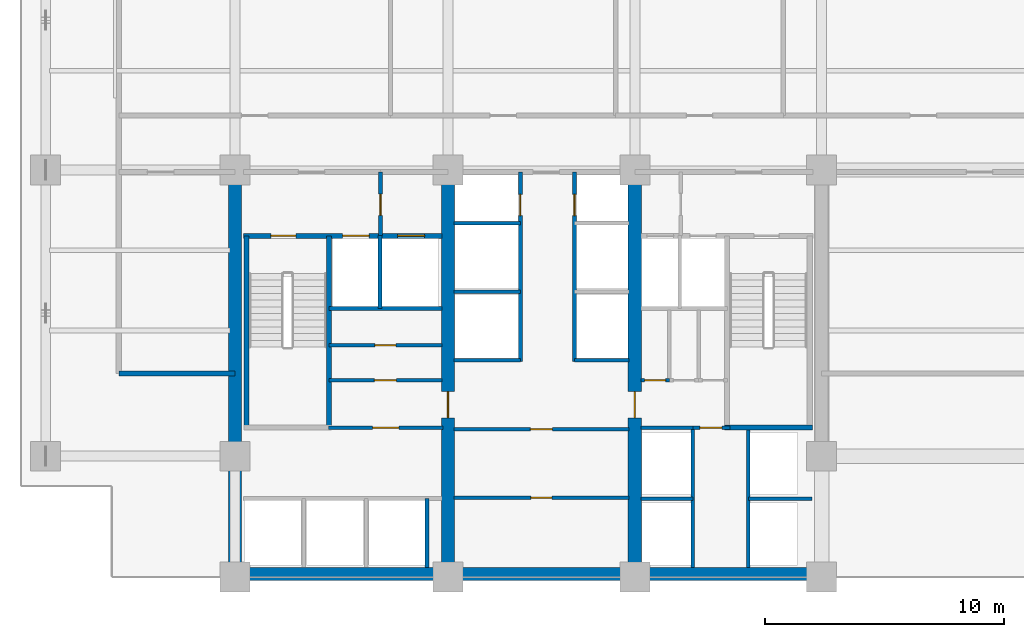
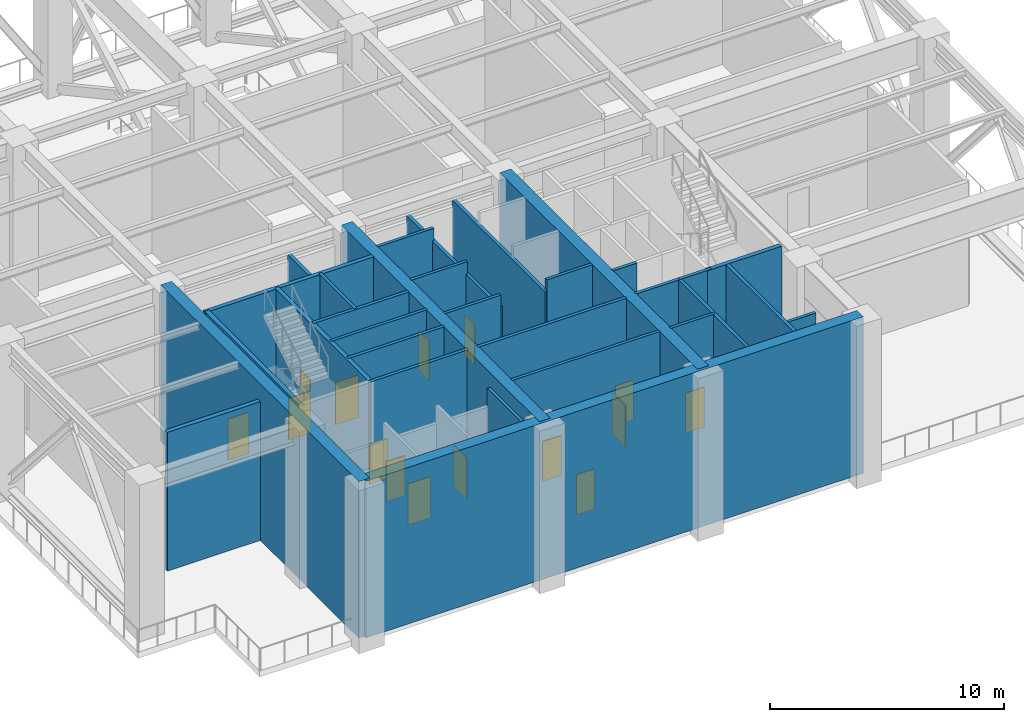
# One storey, part 3 of 7: 31 walls, 15 doors, 15 openings.
"""IFC4 building model written with IfcOpenShell, lengths in metres."""

from ifc_helpers import new_model, si_unit, direction, frame, frame_2d, origin, place, context, subcontext, project, spatial, rectangle, extrude, material, layer, layer_set, type_object, element, fill, save


model = new_model("IFC4")

# Units and contexts
model_context = context("Model", 3, precision=1e-05, world=origin(), true_north=direction((0.0, 1.0)))
body_context = subcontext(model_context, "Body", "Model", "MODEL_VIEW")
ifc_project = project(units=[si_unit("LENGTHUNIT", "METRE"), si_unit("AREAUNIT", "SQUARE_METRE"), si_unit("VOLUMEUNIT", "CUBIC_METRE"), si_unit("PLANEANGLEUNIT", "RADIAN"), si_unit("MASSUNIT", "GRAM", prefix="KILO")], contexts=[model_context])

# Site, building, storey
site_placement = place(None, origin())
site = spatial("IfcSite", under=ifc_project, at=site_placement, CompositionType="ELEMENT")
building_placement = place(site_placement, origin())
building = spatial("IfcBuilding", under=site, at=building_placement, Name="Qalmaran Belvedere Hotel", CompositionType="ELEMENT")
storey_placement = place(building_placement, frame((0.0, 0.0, 130.199951171875)))
storey = spatial("IfcBuildingStorey", under=building, at=storey_placement, Name="L33", CompositionType="ELEMENT", Elevation=130.199951171875)

# Walls
ifc_material_1 = material(Name="Concrete C60/75", Category="concrete")
ifc_layer_1 = layer(ifc_material_1, 0.550048828125, Name="Concrete C60/75")
ifc_layer_set_1 = layer_set([ifc_layer_1], Name="Concrete C60/75")
wall_type_1 = type_object("IfcWallType", Name="WL-CORE-550-C60", PredefinedType="SHEAR", material=ifc_layer_set_1)
wall_1_placement = place(storey_placement, frame((20.300048828125, 3.6298828125, 0.0), z_axis=(0.0, 0.0, 1.0), x_axis=(1.0, 0.0, 0.0)))
element("IfcWall", 1, at=wall_1_placement, inside=storey, type_object=wall_type_1, Name="L33 South Core Shear Wall", PredefinedType="SHEAR", context=body_context, shape_type="SweptSolid", body=[
    extrude(rectangle(XDim=24.5, YDim=0.550048828125, at=frame_2d((12.25, 0.0))), origin(), (0.0, 0.0, 1.0), 8.150146484375),
])
wall_2_placement = place(storey_placement, frame((20.300048828125, 3.5, 0.0), z_axis=(0.0, 0.0, 1.0), x_axis=(0.0, 1.0, 0.0)))
element("IfcWall", 2, at=wall_2_placement, inside=storey, type_object=wall_type_1, Name="L33 West Core Shear Wall", PredefinedType="SHEAR", context=body_context, shape_type="SweptSolid", body=[
    extrude(rectangle(XDim=16.89990234375, YDim=0.550048828125, at=frame_2d((8.449951171875, 0.0))), origin(), (0.0, 0.0, 1.0), 8.150146484375),
])

# Wall, opening, door
wall_3_placement = place(storey_placement, frame((29.199951171875, 3.5, 0.0), z_axis=(0.0, 0.0, 1.0), x_axis=(0.0, 1.0, 0.0)))
wall_3 = element("IfcWall", 3, at=wall_3_placement, inside=storey, type_object=wall_type_1, Name="L33 Core West Spine Shear Wall", PredefinedType="SHEAR", context=body_context, shape_type="SweptSolid", body=[
    extrude(rectangle(XDim=16.89990234375, YDim=0.550048828125, at=frame_2d((8.449951171875, 0.0))), origin(), (0.0, 0.0, 1.0), 8.150146484375),
])
opening_1_placement = place(wall_3_placement, frame((7.75, 0.0, 0.0), z_axis=(0.0, 0.0, 1.0), x_axis=(-1.0, 0.0, 0.0)))
opening_1 = element("IfcOpeningElement", 4, at=opening_1_placement, cuts=wall_3, Name="Opening FD90", PredefinedType="OPENING", context=body_context, shape_type="SweptSolid", body=[
    extrude(rectangle(XDim=1.10009765625, YDim=2.14990234375, at=frame_2d((0.550048828125, 1.074951171875))), frame((0.0, 0.28515625, 0.0), z_axis=(0.0, -1.0, 0.0), x_axis=(1.0, 0.0, 0.0)), (0.0, 0.0, 1.0), 0.570068359375),
])
ifc_material_2 = material(Name="Steel S355JR", Category="steel")
door_type_1 = type_object("IfcDoorType", Name="DR-FD90-1100X2150", OperationType="NOTDEFINED", PredefinedType="DOOR", material=ifc_material_2)
door_1_placement = place(opening_1_placement, origin())
door_1 = element("IfcDoor", 5, at=door_1_placement, inside=storey, type_object=door_type_1, Name="L33 Core West Cross-Lobby Door", OperationType="SINGLE_SWING_RIGHT", OverallHeight=2.14990234375, OverallWidth=1.10009765625, PredefinedType="DOOR", context=body_context, shape_type="SweptSolid", body=[
    extrude(rectangle(XDim=1.10009765625, YDim=2.14990234375, at=frame_2d((0.550048828125, 1.074951171875))), frame((0.0, 0.02490234375, 0.0), z_axis=(0.0, -1.0, 0.0), x_axis=(1.0, 0.0, 0.0)), (0.0, 0.0, 1.0), 0.050048828125),
])
fill(opening_1, door_1)

wall_4_placement = place(storey_placement, frame((37.0, 3.5, 0.0), z_axis=(0.0, 0.0, 1.0), x_axis=(0.0, 1.0, 0.0)))
wall_4 = element("IfcWall", 6, at=wall_4_placement, inside=storey, type_object=wall_type_1, Name="L33 Core East Spine Shear Wall", PredefinedType="SHEAR", context=body_context, shape_type="SweptSolid", body=[
    extrude(rectangle(XDim=16.89990234375, YDim=0.550048828125, at=frame_2d((8.449951171875, 0.0))), origin(), (0.0, 0.0, 1.0), 8.150146484375),
])
opening_2_placement = place(wall_4_placement, frame((6.64990234375, 0.0, 0.0)))
opening_2 = element("IfcOpeningElement", 7, at=opening_2_placement, cuts=wall_4, Name="Opening FD90", PredefinedType="OPENING", context=body_context, shape_type="SweptSolid", body=[
    extrude(rectangle(XDim=1.10009765625, YDim=2.14990234375, at=frame_2d((0.550048828125, 1.074951171875))), frame((0.0, 0.28515625, 0.0), z_axis=(0.0, -1.0, 0.0), x_axis=(1.0, 0.0, 0.0)), (0.0, 0.0, 1.0), 0.570068359375),
])
door_2_placement = place(opening_2_placement, origin())
door_2 = element("IfcDoor", 8, at=door_2_placement, inside=storey, type_object=door_type_1, Name="L33 Core East Cross-Lobby Door", OperationType="SINGLE_SWING_LEFT", OverallHeight=2.14990234375, OverallWidth=1.10009765625, PredefinedType="DOOR", context=body_context, shape_type="SweptSolid", body=[
    extrude(rectangle(XDim=1.10009765625, YDim=2.14990234375, at=frame_2d((0.550048828125, 1.074951171875))), frame((0.0, 0.02490234375, 0.0), z_axis=(0.0, -1.0, 0.0), x_axis=(1.0, 0.0, 0.0)), (0.0, 0.0, 1.0), 0.050048828125),
])
fill(opening_2, door_2)

# Walls
ifc_material_3 = material(Name="Gypsum Stud Partition")
ifc_layer_2 = layer(ifc_material_3, 0.14990234375, Name="Gypsum Stud Partition")
ifc_layer_set_2 = layer_set([ifc_layer_2], Name="Gypsum Stud Partition")
wall_type_2 = type_object("IfcWallType", Name="WL-INT-150-EI120", PredefinedType="PARTITIONING", material=ifc_layer_set_2)
wall_5_placement = place(storey_placement, frame((26.360107421875, 14.719970703125, 0.0), z_axis=(0.0, 0.0, 1.0), x_axis=(0.0, 1.0, 0.0)))
element("IfcWall", 9, at=wall_5_placement, inside=storey, type_object=wall_type_2, Name="L33 Partition WL-FF1M-L33", PredefinedType="PARTITIONING", context=body_context, shape_type="SweptSolid", body=[
    extrude(rectangle(XDim=3.0400390625, YDim=0.14990234375, at=frame_2d((1.52001953125, 0.0))), origin(), (0.0, 0.0, 1.0), 8.150146484375),
])
wall_6_placement = place(storey_placement, frame((28.320068359375, 3.89990234375, 0.0), z_axis=(0.0, 0.0, 1.0), x_axis=(0.0, 1.0, 0.0)))
element("IfcWall", 10, at=wall_6_placement, inside=storey, type_object=wall_type_2, Name="L33 Partition WL-POM3-L33", PredefinedType="PARTITIONING", context=body_context, shape_type="SweptSolid", body=[
    extrude(rectangle(XDim=2.880126953125, YDim=0.14990234375, at=frame_2d((1.43994140625, 0.0))), origin(), (0.0, 0.0, 1.0), 8.150146484375),
])
wall_7_placement = place(storey_placement, frame((37.25, 6.780029296875, 0.0), z_axis=(0.0, 0.0, 1.0), x_axis=(1.0, 0.0, 0.0)))
element("IfcWall", 11, at=wall_7_placement, inside=storey, type_object=wall_type_2, Name="L33 Partition WL-PHMW-L33", PredefinedType="PARTITIONING", context=body_context, shape_type="SweptSolid", body=[
    extrude(rectangle(XDim=2.169921875, YDim=0.14990234375, at=frame_2d((1.0849609375, 0.0))), origin(), (0.0, 0.0, 1.0), 8.150146484375),
])
wall_8_placement = place(storey_placement, frame((41.739990234375, 6.780029296875, 0.0), z_axis=(0.0, 0.0, 1.0), x_axis=(1.0, 0.0, 0.0)))
element("IfcWall", 12, at=wall_8_placement, inside=storey, type_object=wall_type_2, Name="L33 Partition WL-PHME-L33", PredefinedType="PARTITIONING", context=body_context, shape_type="SweptSolid", body=[
    extrude(rectangle(XDim=2.659912109375, YDim=0.14990234375, at=frame_2d((1.330078125, 0.0))), origin(), (0.0, 0.0, 1.0), 6.455078125),
])
wall_9_placement = place(storey_placement, frame((29.449951171875, 12.550048828125, 0.0), z_axis=(0.0, 0.0, 1.0), x_axis=(1.0, 0.0, 0.0)))
element("IfcWall", 13, at=wall_9_placement, inside=storey, type_object=wall_type_2, Name="L33 Partition WL-PMW-L33-125", PredefinedType="PARTITIONING", context=body_context, shape_type="SweptSolid", body=[
    extrude(rectangle(XDim=2.77001953125, YDim=0.14990234375, at=frame_2d((1.385009765625, 0.0))), origin(), (0.0, 0.0, 1.0), 8.150146484375),
])
wall_10_placement = place(storey_placement, frame((34.47998046875, 12.550048828125, 0.0), z_axis=(0.0, 0.0, 1.0), x_axis=(1.0, 0.0, 0.0)))
element("IfcWall", 14, at=wall_10_placement, inside=storey, type_object=wall_type_2, Name="L33 Partition WL-PME-L33-125", PredefinedType="PARTITIONING", context=body_context, shape_type="SweptSolid", body=[
    extrude(rectangle(XDim=2.27001953125, YDim=0.14990234375, at=frame_2d((1.135009765625, 0.0))), origin(), (0.0, 0.0, 1.0), 8.150146484375),
])
for number, where, z_axis, x_axis, name in (
    (15, (29.449951171875, 15.419921875, 0.0), (0.0, 0.0, 1.0), (1.0, 0.0, 0.0), "L33 Partition WL-PMW-L33-154"),
    (16, (29.449951171875, 18.280029296875, 0.0), (0.0, 0.0, 1.0), (1.0, 0.0, 0.0), "L33 Partition WL-PMW-L33-182"),
):
    element("IfcWall", number, at=place(storey_placement, frame(where, z_axis=z_axis, x_axis=x_axis)), inside=storey, type_object=wall_type_2, Name=name, PredefinedType="PARTITIONING", context=body_context, shape_type="SweptSolid", body=[
        extrude(rectangle(XDim=2.77001953125, YDim=0.14990234375, at=frame_2d((1.385009765625, 0.0))), origin(), (0.0, 0.0, 1.0), 8.150146484375),
    ])

# Wall, opening, door
ifc_layer_3 = layer(ifc_material_3, 0.14990234375, Name="Gypsum Stud Partition")
ifc_layer_set_3 = layer_set([ifc_layer_3], Name="Gypsum Stud Partition")
wall_type_3 = type_object("IfcWallType", Name="WL-INT-150-EI60", PredefinedType="PARTITIONING", material=ifc_layer_set_3)
wall_11_placement = place(storey_placement, frame((24.219970703125, 13.18505859375, 0.0), z_axis=(0.0, 0.0, 1.0), x_axis=(1.0, 0.0, 0.0)))
wall_11 = element("IfcWall", 17, at=wall_11_placement, inside=storey, type_object=wall_type_3, Name="L33 Partition WL-L33-KWHM", PredefinedType="PARTITIONING", context=body_context, shape_type="SweptSolid", body=[
    extrude(rectangle(XDim=4.72998046875, YDim=0.14990234375, at=frame_2d((2.364990234375, 0.0))), origin(), (0.0, 0.0, 1.0), 8.150146484375),
])
opening_3_placement = place(wall_11_placement, frame((1.925048828125, 0.0, 0.0)))
opening_3 = element("IfcOpeningElement", 18, at=opening_3_placement, cuts=wall_11, Name="Opening FD60B", PredefinedType="OPENING", context=body_context, shape_type="SweptSolid", body=[
    extrude(rectangle(XDim=0.8798828125, YDim=2.080078125, at=frame_2d((0.43994140625, 1.0400390625))), frame((0.0, 0.0849609375, 0.0), z_axis=(0.0, -1.0, 0.0), x_axis=(1.0, 0.0, 0.0)), (0.0, 0.0, 1.0), 0.169921875),
])
door_type_2 = type_object("IfcDoorType", Name="DR-FD60B-880X2080", OperationType="NOTDEFINED", PredefinedType="DOOR", material=ifc_material_2)
door_3_placement = place(opening_3_placement, origin())
door_3 = element("IfcDoor", 19, at=door_3_placement, inside=storey, type_object=door_type_2, Name="L33 Electrical Switchgear Plant Room Door", OperationType="SINGLE_SWING_RIGHT", OverallHeight=2.080078125, OverallWidth=0.8798828125, PredefinedType="DOOR", context=body_context, shape_type="SweptSolid", body=[
    extrude(rectangle(XDim=0.8798828125, YDim=2.080078125, at=frame_2d((0.43994140625, 1.0400390625))), frame((0.0, 0.02490234375, 0.0), z_axis=(0.0, -1.0, 0.0), x_axis=(1.0, 0.0, 0.0)), (0.0, 0.0, 1.0), 0.050048828125),
])
fill(opening_3, door_3)

wall_12_placement = place(storey_placement, frame((29.449951171875, 6.81494140625, 0.0), z_axis=(0.0, 0.0, 1.0), x_axis=(1.0, 0.0, 0.0)))
wall_12 = element("IfcWall", 20, at=wall_12_placement, inside=storey, type_object=wall_type_3, Name="L33 Partition WL-L33-KPLHM", PredefinedType="PARTITIONING", context=body_context, shape_type="SweptSolid", body=[
    extrude(rectangle(XDim=7.300048828125, YDim=0.14990234375, at=frame_2d((3.64990234375, 0.0))), origin(), (0.0, 0.0, 1.0), 8.150146484375),
])
opening_4_placement = place(wall_12_placement, frame((4.08984375, 0.0, 0.0), z_axis=(0.0, 0.0, 1.0), x_axis=(-1.0, 0.0, 0.0)))
opening_4 = element("IfcOpeningElement", 21, at=opening_4_placement, cuts=wall_12, Name="Opening FD60B", PredefinedType="OPENING", context=body_context, shape_type="SweptSolid", body=[
    extrude(rectangle(XDim=0.8798828125, YDim=2.080078125, at=frame_2d((0.43994140625, 1.0400390625))), frame((0.0, 0.0849609375, 0.0), z_axis=(0.0, -1.0, 0.0), x_axis=(1.0, 0.0, 0.0)), (0.0, 0.0, 1.0), 0.169921875),
])
door_4_placement = place(opening_4_placement, origin())
door_4 = element("IfcDoor", 22, at=door_4_placement, inside=storey, type_object=door_type_2, Name="L33 Pressurisation Fan Plant Room Door", OperationType="SINGLE_SWING_LEFT", OverallHeight=2.080078125, OverallWidth=0.8798828125, PredefinedType="DOOR", context=body_context, shape_type="SweptSolid", body=[
    extrude(rectangle(XDim=0.8798828125, YDim=2.080078125, at=frame_2d((0.43994140625, 1.0400390625))), frame((0.0, 0.02490234375, 0.0), z_axis=(0.0, -1.0, 0.0), x_axis=(1.0, 0.0, 0.0)), (0.0, 0.0, 1.0), 0.050048828125),
])
fill(opening_4, door_4)

ifc_layer_4 = layer(ifc_material_3, 0.159912109375, Name="Gypsum Stud Partition")
ifc_layer_set_4 = layer_set([ifc_layer_4], Name="Gypsum Stud Partition")
wall_type_4 = type_object("IfcWallType", Name="WL-INT-160-EI120", PredefinedType="PARTITIONING", material=ifc_layer_set_4)
wall_13_placement = place(storey_placement, frame((26.3798828125, 17.760009765625, 0.0), z_axis=(0.0, 0.0, 1.0), x_axis=(0.0, 1.0, 0.0)))
wall_13 = element("IfcWall", 23, at=wall_13_placement, inside=storey, type_object=wall_type_4, Name="L33 Partition WL-FFSV1-L33", PredefinedType="PARTITIONING", context=body_context, shape_type="SweptSolid", body=[
    extrude(rectangle(XDim=2.659912109375, YDim=0.159912109375, at=frame_2d((1.330078125, 0.0))), origin(), (0.0, 0.0, 1.0), 7.524169921875),
])
opening_5_placement = place(wall_13_placement, frame((0.85009765625, 0.0, 0.0)))
opening_5 = element("IfcOpeningElement", 24, at=opening_5_placement, cuts=wall_13, Name="Opening FD60B", PredefinedType="OPENING", context=body_context, shape_type="SweptSolid", body=[
    extrude(rectangle(XDim=0.8798828125, YDim=2.080078125, at=frame_2d((0.43994140625, 1.0400390625))), frame((0.0, 0.08984375, 0.0), z_axis=(0.0, -1.0, 0.0), x_axis=(1.0, 0.0, 0.0)), (0.0, 0.0, 1.0), 0.179931640625),
])
door_5_placement = place(opening_5_placement, origin())
door_5 = element("IfcDoor", 25, at=door_5_placement, inside=storey, type_object=door_type_2, Name="L33 Service Lobby West Door", OperationType="SINGLE_SWING_RIGHT", OverallHeight=2.080078125, OverallWidth=0.8798828125, PredefinedType="DOOR", context=body_context, shape_type="SweptSolid", body=[
    extrude(rectangle(XDim=0.8798828125, YDim=2.080078125, at=frame_2d((0.43994140625, 1.0400390625))), frame((0.0, 0.02490234375, 0.0), z_axis=(0.0, -1.0, 0.0), x_axis=(1.0, 0.0, 0.0)), (0.0, 0.0, 1.0), 0.050048828125),
])
fill(opening_5, door_5)

# Wall
wall_14_placement = place(storey_placement, frame((24.219970703125, 14.719970703125, 0.0), z_axis=(0.0, 0.0, 1.0), x_axis=(1.0, 0.0, 0.0)))
element("IfcWall", 26, at=wall_14_placement, inside=storey, type_object=wall_type_4, Name="L33 Partition WL-FF1S-L33", PredefinedType="PARTITIONING", context=body_context, shape_type="SweptSolid", body=[
    extrude(rectangle(XDim=4.72998046875, YDim=0.159912109375, at=frame_2d((2.364990234375, 0.0))), origin(), (0.0, 0.0, 1.0), 8.150146484375),
])

# Wall, opening, door
wall_15_placement = place(storey_placement, frame((24.199951171875, 9.739990234375, 0.0), z_axis=(0.0, 0.0, 1.0), x_axis=(1.0, 0.0, 0.0)))
wall_15 = element("IfcWall", 27, at=wall_15_placement, inside=storey, type_object=wall_type_4, Name="L33 Partition WL-PON-L33", PredefinedType="PARTITIONING", context=body_context, shape_type="SweptSolid", body=[
    extrude(rectangle(XDim=4.800048828125, YDim=0.159912109375, at=frame_2d((2.39990234375, 0.0))), origin(), (0.0, 0.0, 1.0), 8.150146484375),
])
opening_6_placement = place(wall_15_placement, frame((1.85009765625, 0.0, 0.0)))
opening_6 = element("IfcOpeningElement", 28, at=opening_6_placement, cuts=wall_15, Name="Opening FD90", PredefinedType="OPENING", context=body_context, shape_type="SweptSolid", body=[
    extrude(rectangle(XDim=1.10009765625, YDim=2.14990234375, at=frame_2d((0.550048828125, 1.074951171875))), frame((0.0, 0.08984375, 0.0), z_axis=(0.0, -1.0, 0.0), x_axis=(1.0, 0.0, 0.0)), (0.0, 0.0, 1.0), 0.179931640625),
])
door_6_placement = place(opening_6_placement, origin())
door_6 = element("IfcDoor", 29, at=door_6_placement, inside=storey, type_object=door_type_1, Name="L33 Shuttle Lobby Passage Door", OperationType="SINGLE_SWING_RIGHT", OverallHeight=2.14990234375, OverallWidth=1.10009765625, PredefinedType="DOOR", context=body_context, shape_type="SweptSolid", body=[
    extrude(rectangle(XDim=1.10009765625, YDim=2.14990234375, at=frame_2d((0.550048828125, 1.074951171875))), frame((0.0, 0.02490234375, 0.0), z_axis=(0.0, -1.0, 0.0), x_axis=(1.0, 0.0, 0.0)), (0.0, 0.0, 1.0), 0.050048828125),
])
fill(opening_6, door_6)

# Walls
for number, where, z_axis, x_axis, name in (
    (30, (39.419921875, 3.89990234375, 0.0), (0.0, 0.0, 1.0), (0.0, 1.0, 0.0), "L33 Partition WL-PHW-L33"),
    (31, (41.739990234375, 3.89990234375, 0.0), (0.0, 0.0, 1.0), (0.0, 1.0, 0.0), "L33 Partition WL-PHE-L33"),
):
    element("IfcWall", number, at=place(storey_placement, frame(where, z_axis=z_axis, x_axis=x_axis)), inside=storey, type_object=wall_type_4, Name=name, PredefinedType="PARTITIONING", context=body_context, shape_type="SweptSolid", body=[
        extrude(rectangle(XDim=5.840087890625, YDim=0.159912109375, at=frame_2d((2.919921875, 0.0))), origin(), (0.0, 0.0, 1.0), 8.150146484375),
    ])
wall_16_placement = place(storey_placement, frame((37.25, 9.739990234375, 0.0), z_axis=(0.0, 0.0, 1.0), x_axis=(1.0, 0.0, 0.0)))
element("IfcWall", 32, at=wall_16_placement, inside=storey, type_object=wall_type_4, Name="L33 Partition WL-PHNW-L33", PredefinedType="PARTITIONING", context=body_context, shape_type="SweptSolid", body=[
    extrude(rectangle(XDim=2.169921875, YDim=0.159912109375, at=frame_2d((1.0849609375, 0.0))), origin(), (0.0, 0.0, 1.0), 8.150146484375),
])

# Wall, opening, door
wall_17_placement = place(storey_placement, frame((39.419921875, 9.739990234375, 0.0), z_axis=(0.0, 0.0, 1.0), x_axis=(1.0, 0.0, 0.0)))
wall_17 = element("IfcWall", 33, at=wall_17_placement, inside=storey, type_object=wall_type_4, Name="L33 Partition WL-PHNL-L33", PredefinedType="PARTITIONING", context=body_context, shape_type="SweptSolid", body=[
    extrude(rectangle(XDim=1.56005859375, YDim=0.159912109375, at=frame_2d((0.780029296875, 0.0))), origin(), (0.0, 0.0, 1.0), 8.150146484375),
])
opening_7_placement = place(wall_17_placement, frame((0.300048828125, 0.0, 0.0)))
opening_7 = element("IfcOpeningElement", 34, at=opening_7_placement, cuts=wall_17, Name="Opening FD60S1", PredefinedType="OPENING", context=body_context, shape_type="SweptSolid", body=[
    extrude(rectangle(XDim=0.919921875, YDim=2.080078125, at=frame_2d((0.4599609375, 1.0400390625))), frame((0.0, 0.08984375, 0.0), z_axis=(0.0, -1.0, 0.0), x_axis=(1.0, 0.0, 0.0)), (0.0, 0.0, 1.0), 0.179931640625),
])
ifc_material_4 = material(Name="Engineered Oak Veneer")
door_type_3 = type_object("IfcDoorType", Name="DR-FD60S-920X2080", OperationType="NOTDEFINED", PredefinedType="DOOR", material=ifc_material_4)
door_7_placement = place(opening_7_placement, origin())
door_7 = element("IfcDoor", 35, at=door_7_placement, inside=storey, type_object=door_type_3, Name="L33 High-Rise Lift Lobby Passage Door", OperationType="SINGLE_SWING_LEFT", OverallHeight=2.080078125, OverallWidth=0.919921875, PredefinedType="DOOR", context=body_context, shape_type="SweptSolid", body=[
    extrude(rectangle(XDim=0.919921875, YDim=2.080078125, at=frame_2d((0.4599609375, 1.0400390625))), frame((0.0, 0.02490234375, 0.0), z_axis=(0.0, -1.0, 0.0), x_axis=(1.0, 0.0, 0.0)), (0.0, 0.0, 1.0), 0.050048828125),
])
fill(opening_7, door_7)

wall_18_placement = place(storey_placement, frame((32.219970703125, 12.5, 0.0), z_axis=(0.0, 0.0, 1.0), x_axis=(0.0, 1.0, 0.0)))
wall_18 = element("IfcWall", 36, at=wall_18_placement, inside=storey, type_object=wall_type_4, Name="L33 Partition WL-CLBWN-L33", PredefinedType="PARTITIONING", context=body_context, shape_type="SweptSolid", body=[
    extrude(rectangle(XDim=7.919921875, YDim=0.159912109375, at=frame_2d((3.9599609375, 0.0))), origin(), (0.0, 0.0, 1.0), 7.524169921875),
])
opening_8_placement = place(wall_18_placement, frame((6.10009765625, 0.0, 0.0)))
opening_8 = element("IfcOpeningElement", 37, at=opening_8_placement, cuts=wall_18, Name="Opening FD60B", PredefinedType="OPENING", context=body_context, shape_type="SweptSolid", body=[
    extrude(rectangle(XDim=0.8798828125, YDim=2.080078125, at=frame_2d((0.43994140625, 1.0400390625))), frame((0.0, 0.08984375, 0.0), z_axis=(0.0, -1.0, 0.0), x_axis=(1.0, 0.0, 0.0)), (0.0, 0.0, 1.0), 0.179931640625),
])
door_8_placement = place(opening_8_placement, origin())
door_8 = element("IfcDoor", 38, at=door_8_placement, inside=storey, type_object=door_type_2, Name="L33 West Riser Access Door", OperationType="SINGLE_SWING_RIGHT", OverallHeight=2.080078125, OverallWidth=0.8798828125, PredefinedType="DOOR", context=body_context, shape_type="SweptSolid", body=[
    extrude(rectangle(XDim=0.8798828125, YDim=2.080078125, at=frame_2d((0.43994140625, 1.0400390625))), frame((0.0, 0.02490234375, 0.0), z_axis=(0.0, -1.0, 0.0), x_axis=(1.0, 0.0, 0.0)), (0.0, 0.0, 1.0), 0.050048828125),
])
fill(opening_8, door_8)

wall_19_placement = place(storey_placement, frame((34.47998046875, 12.5, 0.0), z_axis=(0.0, 0.0, 1.0), x_axis=(0.0, 1.0, 0.0)))
wall_19 = element("IfcWall", 39, at=wall_19_placement, inside=storey, type_object=wall_type_4, Name="L33 Partition WL-CLBEN-L33", PredefinedType="PARTITIONING", context=body_context, shape_type="SweptSolid", body=[
    extrude(rectangle(XDim=7.919921875, YDim=0.159912109375, at=frame_2d((3.9599609375, 0.0))), origin(), (0.0, 0.0, 1.0), 7.524169921875),
])
opening_9_placement = place(wall_19_placement, frame((6.97998046875, 0.0, 0.0), z_axis=(0.0, 0.0, 1.0), x_axis=(-1.0, 0.0, 0.0)))
opening_9 = element("IfcOpeningElement", 40, at=opening_9_placement, cuts=wall_19, Name="Opening FD60B", PredefinedType="OPENING", context=body_context, shape_type="SweptSolid", body=[
    extrude(rectangle(XDim=0.8798828125, YDim=2.080078125, at=frame_2d((0.43994140625, 1.0400390625))), frame((0.0, 0.08984375, 0.0), z_axis=(0.0, -1.0, 0.0), x_axis=(1.0, 0.0, 0.0)), (0.0, 0.0, 1.0), 0.179931640625),
])
door_9_placement = place(opening_9_placement, origin())
door_9 = element("IfcDoor", 41, at=door_9_placement, inside=storey, type_object=door_type_2, Name="L33 East Riser Access Door", OperationType="SINGLE_SWING_LEFT", OverallHeight=2.080078125, OverallWidth=0.8798828125, PredefinedType="DOOR", context=body_context, shape_type="SweptSolid", body=[
    extrude(rectangle(XDim=0.8798828125, YDim=2.080078125, at=frame_2d((0.43994140625, 1.0400390625))), frame((0.0, 0.02490234375, 0.0), z_axis=(0.0, -1.0, 0.0), x_axis=(1.0, 0.0, 0.0)), (0.0, 0.0, 1.0), 0.050048828125),
])
fill(opening_9, door_9)

ifc_layer_5 = layer(ifc_material_3, 0.159912109375, Name="Gypsum Stud Partition")
ifc_layer_set_5 = layer_set([ifc_layer_5], Name="Gypsum Stud Partition")
wall_type_5 = type_object("IfcWallType", Name="WL-INT-160-EI60", PredefinedType="PARTITIONING", material=ifc_layer_set_5)
wall_20_placement = place(storey_placement, frame((24.219970703125, 11.719970703125, 0.0), z_axis=(0.0, 0.0, 1.0), x_axis=(1.0, 0.0, 0.0)))
wall_20 = element("IfcWall", 42, at=wall_20_placement, inside=storey, type_object=wall_type_5, Name="L33 Partition WL-L33-KWE1", PredefinedType="PARTITIONING", context=body_context, shape_type="SweptSolid", body=[
    extrude(rectangle(XDim=4.72998046875, YDim=0.159912109375, at=frame_2d((2.364990234375, 0.0))), origin(), (0.0, 0.0, 1.0), 8.150146484375),
])
opening_10_placement = place(wall_20_placement, frame((1.905029296875, 0.0, 0.0)))
opening_10 = element("IfcOpeningElement", 43, at=opening_10_placement, cuts=wall_20, Name="Opening FD60S1", PredefinedType="OPENING", context=body_context, shape_type="SweptSolid", body=[
    extrude(rectangle(XDim=0.919921875, YDim=2.080078125, at=frame_2d((0.4599609375, 1.0400390625))), frame((0.0, 0.08984375, 0.0), z_axis=(0.0, -1.0, 0.0), x_axis=(1.0, 0.0, 0.0)), (0.0, 0.0, 1.0), 0.179931640625),
])
door_10_placement = place(opening_10_placement, origin())
door_10 = element("IfcDoor", 44, at=door_10_placement, inside=storey, type_object=door_type_3, Name="L33 Booster Valve Plant Room Door", OperationType="SINGLE_SWING_LEFT", OverallHeight=2.080078125, OverallWidth=0.919921875, PredefinedType="DOOR", context=body_context, shape_type="SweptSolid", body=[
    extrude(rectangle(XDim=0.919921875, YDim=2.080078125, at=frame_2d((0.4599609375, 1.0400390625))), frame((0.0, 0.02490234375, 0.0), z_axis=(0.0, -1.0, 0.0), x_axis=(1.0, 0.0, 0.0)), (0.0, 0.0, 1.0), 0.050048828125),
])
fill(opening_10, door_10)

wall_21_placement = place(storey_placement, frame((37.25, 11.719970703125, 0.0), z_axis=(0.0, 0.0, 1.0), x_axis=(1.0, 0.0, 0.0)))
wall_21 = element("IfcWall", 45, at=wall_21_placement, inside=storey, type_object=wall_type_5, Name="L33 Partition WL-L33-KEE1", PredefinedType="PARTITIONING", context=body_context, shape_type="SweptSolid", body=[
    extrude(rectangle(XDim=1.19140625, YDim=0.159912109375, at=frame_2d((0.595703125, 0.0))), origin(), (0.0, 0.0, 1.0), 8.150146484375),
])
opening_11_placement = place(wall_21_placement, frame((0.155517578125, 0.0, 0.0)))
opening_11 = element("IfcOpeningElement", 46, at=opening_11_placement, cuts=wall_21, Name="Opening FD60B", PredefinedType="OPENING", context=body_context, shape_type="SweptSolid", body=[
    extrude(rectangle(XDim=0.8798828125, YDim=2.080078125, at=frame_2d((0.43994140625, 1.0400390625))), frame((0.0, 0.08984375, 0.0), z_axis=(0.0, -1.0, 0.0), x_axis=(1.0, 0.0, 0.0)), (0.0, 0.0, 1.0), 0.179931640625),
])
door_11_placement = place(opening_11_placement, origin())
door_11 = element("IfcDoor", 47, at=door_11_placement, inside=storey, type_object=door_type_2, Name="L33 Fire Main Valve Plant Room Door", OperationType="SINGLE_SWING_LEFT", OverallHeight=2.080078125, OverallWidth=0.8798828125, PredefinedType="DOOR", context=body_context, shape_type="SweptSolid", body=[
    extrude(rectangle(XDim=0.8798828125, YDim=2.080078125, at=frame_2d((0.43994140625, 1.0400390625))), frame((0.0, 0.02490234375, 0.0), z_axis=(0.0, -1.0, 0.0), x_axis=(1.0, 0.0, 0.0)), (0.0, 0.0, 1.0), 0.050048828125),
])
fill(opening_11, door_11)

wall_22_placement = place(storey_placement, frame((29.449951171875, 9.679931640625, 0.0), z_axis=(0.0, 0.0, 1.0), x_axis=(1.0, 0.0, 0.0)))
wall_22 = element("IfcWall", 48, at=wall_22_placement, inside=storey, type_object=wall_type_5, Name="L33 Partition WL-L33-KPLE1", PredefinedType="PARTITIONING", context=body_context, shape_type="SweptSolid", body=[
    extrude(rectangle(XDim=7.300048828125, YDim=0.159912109375, at=frame_2d((3.64990234375, 0.0))), origin(), (0.0, 0.0, 1.0), 8.150146484375),
])
opening_12_placement = place(wall_22_placement, frame((4.10986328125, 0.0, 0.0), z_axis=(0.0, 0.0, 1.0), x_axis=(-1.0, 0.0, 0.0)))
opening_12 = element("IfcOpeningElement", 49, at=opening_12_placement, cuts=wall_22, Name="Opening FD60S1", PredefinedType="OPENING", context=body_context, shape_type="SweptSolid", body=[
    extrude(rectangle(XDim=0.919921875, YDim=2.080078125, at=frame_2d((0.4599609375, 1.0400390625))), frame((0.0, 0.08984375, 0.0), z_axis=(0.0, -1.0, 0.0), x_axis=(1.0, 0.0, 0.0)), (0.0, 0.0, 1.0), 0.179931640625),
])
door_12_placement = place(opening_12_placement, origin())
door_12 = element("IfcDoor", 50, at=door_12_placement, inside=storey, type_object=door_type_3, Name="L33 Chilled Water Header Plant Room Door", OperationType="SINGLE_SWING_RIGHT", OverallHeight=2.080078125, OverallWidth=0.919921875, PredefinedType="DOOR", context=body_context, shape_type="SweptSolid", body=[
    extrude(rectangle(XDim=0.919921875, YDim=2.080078125, at=frame_2d((0.4599609375, 1.0400390625))), frame((0.0, 0.02490234375, 0.0), z_axis=(0.0, -1.0, 0.0), x_axis=(1.0, 0.0, 0.0)), (0.0, 0.0, 1.0), 0.050048828125),
])
fill(opening_12, door_12)

# Walls
ifc_material_5 = material(Name="Concrete C30/37 Blockwork", Category="masonry")
ifc_layer_6 = layer(ifc_material_5, 0.219970703125, Name="Concrete C30/37 Blockwork")
ifc_layer_set_6 = layer_set([ifc_layer_6], Name="Concrete C30/37 Blockwork")
wall_type_6 = type_object("IfcWallType", Name="WL-INT-220-EI120", PredefinedType="PARTITIONING", material=ifc_layer_set_6)
wall_23_placement = place(storey_placement, frame((15.449951171875, 12.0, 0.0), z_axis=(0.0, 0.0, 1.0), x_axis=(1.0, 0.0, 0.0)))
element("IfcWall", 51, at=wall_23_placement, inside=storey, type_object=wall_type_6, Name="L33 Partition WL-L33-PRSW", PredefinedType="PARTITIONING", context=body_context, shape_type="SweptSolid", body=[
    extrude(rectangle(XDim=4.85009765625, YDim=0.219970703125, at=frame_2d((2.425048828125, 0.0))), origin(), (0.0, 0.0, 1.0), 7.22314453125),
])
ifc_material_6 = material(Name="Concrete C50/60", Category="concrete")
ifc_layer_7 = layer(ifc_material_6, 0.2099609375, Name="Concrete C50/60")
ifc_layer_set_7 = layer_set([ifc_layer_7], Name="Concrete C50/60")
wall_type_7 = type_object("IfcWallType", Name="WL-STAIR-210-C50", PredefinedType="SHEAR", material=ifc_layer_set_7)
for number, where, z_axis, x_axis, name in (
    (52, (20.77490234375, 9.7451171875, 0.0), (0.0, 0.0, 1.0), (0.0, 1.0, 0.0), "L33 Stair ST-1 West Bearing Wall"),
    (53, (24.22509765625, 9.7451171875, 0.0), (0.0, 0.0, 1.0), (0.0, 1.0, 0.0), "L33 Stair ST-1 East Bearing Wall"),
):
    element("IfcWall", number, at=place(storey_placement, frame(where, z_axis=z_axis, x_axis=x_axis)), inside=storey, type_object=wall_type_7, Name=name, PredefinedType="SHEAR", context=body_context, shape_type="SweptSolid", body=[
        extrude(rectangle(XDim=8.009765625, YDim=0.2099609375, at=frame_2d((4.0048828125, 0.0))), origin(), (0.0, 0.0, 1.0), 8.150146484375),
    ])

# Wall, openings, doors
wall_24_placement = place(storey_placement, frame((20.64990234375, 17.7548828125, 0.0), z_axis=(0.0, 0.0, 1.0), x_axis=(1.0, 0.0, 0.0)))
wall_24 = element("IfcWall", 54, at=wall_24_placement, inside=storey, type_object=wall_type_7, Name="L33 West Lobby and Stair ST-1 North Bearing Wall", PredefinedType="SHEAR", context=body_context, shape_type="SweptSolid", body=[
    extrude(rectangle(XDim=8.300048828125, YDim=0.2099609375, at=frame_2d((4.14990234375, 0.0))), origin(), (0.0, 0.0, 1.0), 8.150146484375),
])
opening_13_placement = place(wall_24_placement, frame((2.199951171875, 0.0, 0.0), z_axis=(0.0, 0.0, 1.0), x_axis=(-1.0, 0.0, 0.0)))
opening_13 = element("IfcOpeningElement", 55, at=opening_13_placement, cuts=wall_24, Name="Opening FD90S2", PredefinedType="OPENING", context=body_context, shape_type="SweptSolid", body=[
    extrude(rectangle(XDim=1.050048828125, YDim=2.14990234375, at=frame_2d((0.52490234375, 1.074951171875))), frame((0.0, 0.114990234375, 0.0), z_axis=(0.0, -1.0, 0.0), x_axis=(1.0, 0.0, 0.0)), (0.0, 0.0, 1.0), 0.22998046875),
])
opening_14_placement = place(wall_24_placement, frame((4.14990234375, 0.0, 0.0)))
opening_14 = element("IfcOpeningElement", 56, at=opening_14_placement, cuts=wall_24, Name="Opening LD-FF", PredefinedType="OPENING", context=body_context, shape_type="SweptSolid", body=[
    extrude(rectangle(XDim=1.10009765625, YDim=2.179931640625, at=frame_2d((0.550048828125, 1.08984375))), frame((0.0, 0.114990234375, 0.0), z_axis=(0.0, -1.0, 0.0), x_axis=(1.0, 0.0, 0.0)), (0.0, 0.0, 1.0), 0.22998046875),
])
opening_15_placement = place(wall_24_placement, frame((6.449951171875, 0.0, 0.0)))
opening_15 = element("IfcOpeningElement", 57, at=opening_15_placement, cuts=wall_24, Name="Opening LD-SV", PredefinedType="OPENING", context=body_context, shape_type="SweptSolid", body=[
    extrude(rectangle(XDim=1.1201171875, YDim=2.199951171875, at=frame_2d((0.56005859375, 1.10009765625))), frame((0.0, 0.114990234375, 0.0), z_axis=(0.0, -1.0, 0.0), x_axis=(1.0, 0.0, 0.0)), (0.0, 0.0, 1.0), 0.22998046875),
])
door_type_4 = type_object("IfcDoorType", Name="DR-FD90S-1050X2150", OperationType="NOTDEFINED", PredefinedType="DOOR", material=ifc_material_2)
door_13_placement = place(opening_13_placement, origin())
door_13 = element("IfcDoor", 58, at=door_13_placement, inside=storey, type_object=door_type_4, Name="L33 Stair ST-1 Door", OperationType="SINGLE_SWING_RIGHT", OverallHeight=2.14990234375, OverallWidth=1.050048828125, PredefinedType="DOOR", context=body_context, shape_type="SweptSolid", body=[
    extrude(rectangle(XDim=1.050048828125, YDim=2.14990234375, at=frame_2d((0.52490234375, 1.074951171875))), frame((0.0, 0.02490234375, 0.0), z_axis=(0.0, -1.0, 0.0), x_axis=(1.0, 0.0, 0.0)), (0.0, 0.0, 1.0), 0.050048828125),
])
fill(opening_13, door_13)
ifc_material_7 = material(Name="Stainless Steel 1.4401", Category="steel")
door_type_5 = type_object("IfcDoorType", Name="DR-LIFT-FF-1100X2180", OperationType="DOUBLE_DOOR_SLIDING", PredefinedType="DOOR", material=ifc_material_7)
door_14_placement = place(opening_14_placement, origin())
door_14 = element("IfcDoor", 59, at=door_14_placement, inside=storey, type_object=door_type_5, Name="L33 FF1 Lift Landing Door", OperationType="DOUBLE_DOOR_SLIDING", OverallHeight=2.179931640625, OverallWidth=1.10009765625, PredefinedType="DOOR", context=body_context, shape_type="SweptSolid", body=[
    extrude(rectangle(XDim=1.10009765625, YDim=2.179931640625, at=frame_2d((0.550048828125, 1.08984375))), frame((0.0, 0.02490234375, 0.0), z_axis=(0.0, -1.0, 0.0), x_axis=(1.0, 0.0, 0.0)), (0.0, 0.0, 1.0), 0.050048828125),
])
fill(opening_14, door_14)
door_type_6 = type_object("IfcDoorType", Name="DR-LIFT-SV-1120X2200", OperationType="DOUBLE_DOOR_SLIDING", PredefinedType="DOOR", material=ifc_material_7)
door_15_placement = place(opening_15_placement, origin())
door_15 = element("IfcDoor", 60, at=door_15_placement, inside=storey, type_object=door_type_6, Name="L33 SV1 Lift Landing Door", OperationType="DOUBLE_DOOR_SLIDING", OverallHeight=2.199951171875, OverallWidth=1.1201171875, PredefinedType="DOOR", context=body_context, shape_type="SweptSolid", body=[
    extrude(rectangle(XDim=1.1201171875, YDim=2.199951171875, at=frame_2d((0.56005859375, 1.10009765625))), frame((0.0, 0.02490234375, 0.0), z_axis=(0.0, -1.0, 0.0), x_axis=(1.0, 0.0, 0.0)), (0.0, 0.0, 1.0), 0.050048828125),
])
fill(opening_15, door_15)

# Wall
wall_25_placement = place(storey_placement, frame((40.75, 9.7451171875, 0.0), z_axis=(0.0, 0.0, 1.0), x_axis=(1.0, 0.0, 0.0)))
element("IfcWall", 61, at=wall_25_placement, inside=storey, type_object=wall_type_7, Name="L33 Stair ST-2 South Bearing Wall", PredefinedType="SHEAR", context=body_context, shape_type="SweptSolid", body=[
    extrude(rectangle(XDim=3.659912109375, YDim=0.2099609375, at=frame_2d((1.830078125, 0.0))), origin(), (0.0, 0.0, 1.0), 8.150146484375),
])

save(model, "model.ifc")
